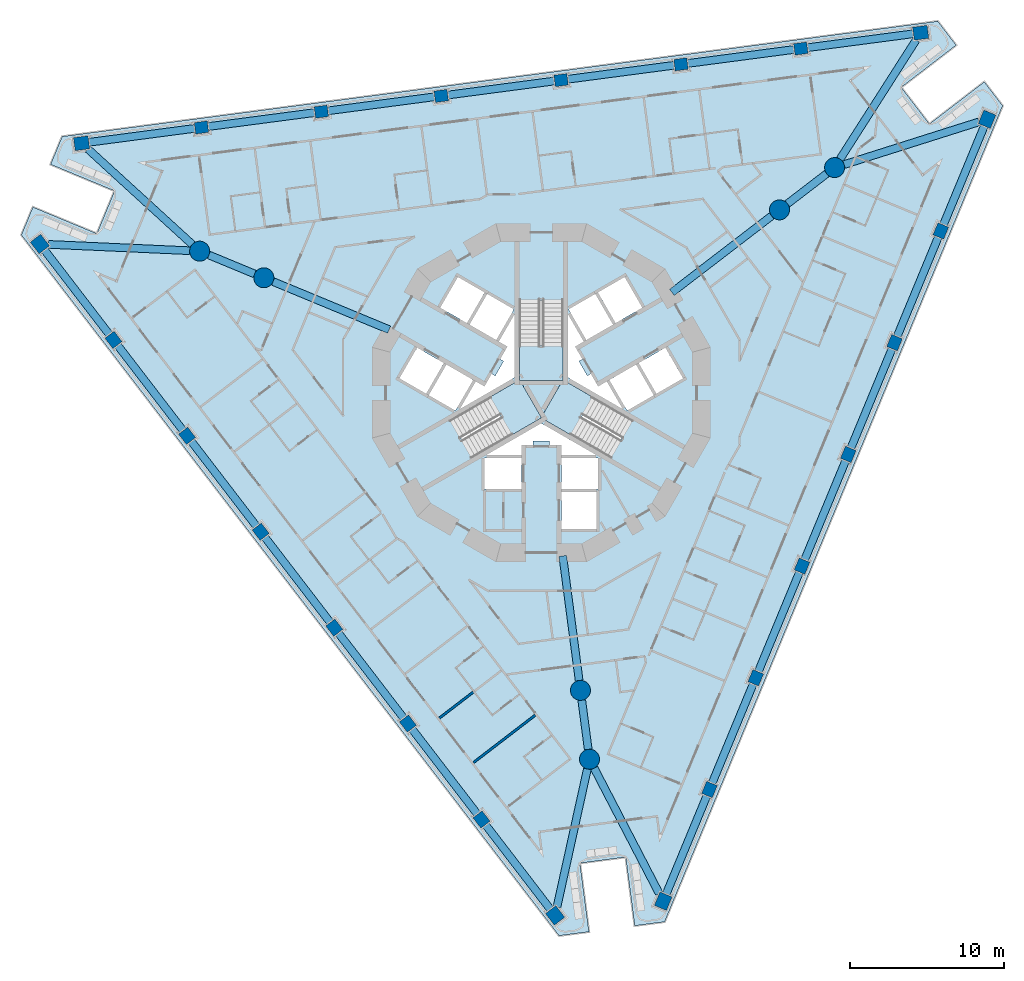
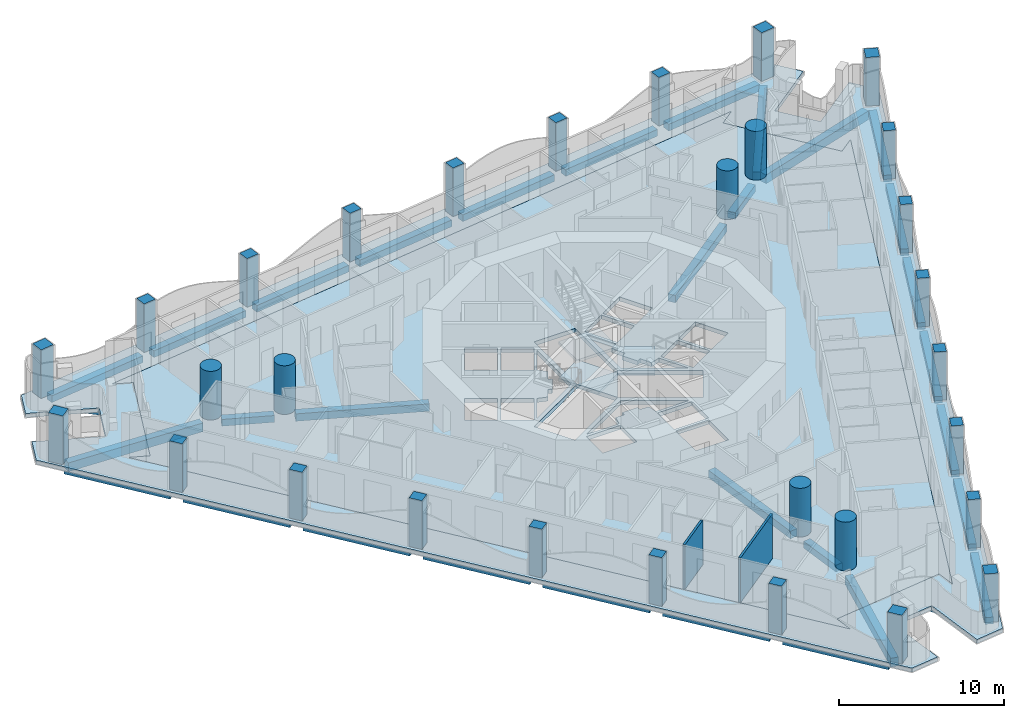
# One storey, part 1 of 19: 33 beams, 30 columns, 6 slabs, 2 walls, 3 elements without a shape of their own.
"""IFC4 building model written with IfcOpenShell, lengths in metres."""

from ifc_helpers import new_model, si_unit, direction, frame, frame_2d, origin, origin_2d, place, context, subcontext, project, spatial, polyline, rectangle, circle, outline, extrude, material, layer, layer_set, material_profile, profile_set, type_object, element, aggregate, save


model = new_model("IFC4")

# Units and contexts
model_context = context("Model", 3, precision=1e-05, world=origin(), true_north=direction((0.0, 1.0)))
body_context = subcontext(model_context, "Body", "Model", "MODEL_VIEW")
ifc_project = project(units=[si_unit("LENGTHUNIT", "METRE"), si_unit("AREAUNIT", "SQUARE_METRE"), si_unit("VOLUMEUNIT", "CUBIC_METRE"), si_unit("PLANEANGLEUNIT", "RADIAN"), si_unit("MASSUNIT", "GRAM", prefix="KILO")], contexts=[model_context])

# Site, building, storey
site_placement = place(None, origin())
site = spatial("IfcSite", under=ifc_project, at=site_placement, CompositionType="ELEMENT")
building_placement = place(site_placement, origin())
building = spatial("IfcBuilding", under=site, at=building_placement, Name="Trine Commons Tower", CompositionType="ELEMENT")
storey_placement = place(building_placement, frame((0.0, 0.0, 72.0)))
storey = spatial("IfcBuildingStorey", under=building, at=storey_placement, Name="L17", CompositionType="ELEMENT", Elevation=72.0)

# Columns
ifc_material_1 = material(Name="Concrete C80/95", Category="concrete")
ifc_material_profile_1 = material_profile(ifc_material_1, rectangle(XDim=0.85009765625, YDim=0.75, at=origin_2d()), Name="RC 850x750")
ifc_profile_set_1 = profile_set([ifc_material_profile_1], Name="Concrete C80/95")
column_type_1 = type_object("IfcColumnType", Name="RC column 850x750, C80/95", PredefinedType="COLUMN", material=ifc_profile_set_1)
for number, where, z_axis, x_axis, name in (
    (1, (76.1142578125, 34.74853515625, 0.0), (0.0, 0.0, 1.0), (-0.608761429009, 0.793353340291, 0.0), "Column PC2-02 L17"),
    (2, (71.3291015625, 40.984619140625, 0.0), (0.0, 0.0, 1.0), (-0.608761429009, 0.793353340291, 0.0), "Column PC2-03 L17"),
    (3, (66.5439453125, 47.220703125, 0.0), (0.0, 0.0, 1.0), (-0.608761429009, 0.793353340291, 0.0), "Column PC2-04 L17"),
    (4, (61.7587890625, 53.45703125, 0.0), (0.0, 0.0, 1.0), (-0.608761429009, 0.793353340291, 0.0), "Column PC2-05 L17"),
    (5, (56.9736328125, 59.693115234375, 0.0), (0.0, 0.0, 1.0), (-0.608761429009, 0.793353340291, 0.0), "Column PC2-06 L17"),
    (6, (52.1884765625, 65.92919921875, 0.0), (0.0, 0.0, 1.0), (-0.608761429009, 0.793353340291, 0.0), "Column PC2-07 L17"),
    (7, (57.9091796875, 79.740966796875, 0.0), (0.0, 0.0, 1.0), (0.991444861374, 0.13052619222, 0.0), "Column PC2-10 L17"),
    (8, (65.70263671875, 80.766845703125, 0.0), (0.0, 0.0, 1.0), (0.991444861374, 0.13052619222, 0.0), "Column PC2-11 L17"),
    (9, (73.495849609375, 81.79296875, 0.0), (0.0, 0.0, 1.0), (0.991444861374, 0.13052619222, 0.0), "Column PC2-12 L17"),
    (10, (81.2890625, 82.81884765625, 0.0), (0.0, 0.0, 1.0), (0.991444861374, 0.13052619222, 0.0), "Column PC2-13 L17"),
    (11, (89.08251953125, 83.844970703125, 0.0), (0.0, 0.0, 1.0), (0.991444861374, 0.13052619222, 0.0), "Column PC2-14 L17"),
    (12, (96.875732421875, 84.870849609375, 0.0), (0.0, 0.0, 1.0), (0.991444861374, 0.13052619222, 0.0), "Column PC2-15 L17"),
    (13, (105.976318359375, 73.010498046875, 0.0), (0.0, 0.0, 1.0), (0.382683432365, 0.923879532511, 0.0), "Column PC2-18 L17"),
    (14, (102.96826171875, 65.74853515625, 0.0), (0.0, 0.0, 1.0), (0.382683432365, 0.923879532511, 0.0), "Column PC2-19 L17"),
    (15, (99.960205078125, 58.486328125, 0.0), (0.0, 0.0, 1.0), (0.382683432365, 0.923879532511, 0.0), "Column PC2-20 L17"),
    (16, (96.9521484375, 51.22412109375, 0.0), (0.0, 0.0, 1.0), (0.382683432365, 0.923879532511, 0.0), "Column PC2-21 L17"),
    (17, (93.944091796875, 43.9619140625, 0.0), (0.0, 0.0, 1.0), (0.382683432365, 0.923879532511, 0.0), "Column PC2-22 L17"),
    (18, (90.935791015625, 36.69970703125, 0.0), (0.0, 0.0, 1.0), (0.382683432365, 0.923879532511, 0.0), "Column PC2-23 L17"),
):
    element("IfcColumn", number, at=place(storey_placement, frame(where, z_axis=z_axis, x_axis=x_axis)), inside=storey, type_object=column_type_1, Name=name, PredefinedType="COLUMN", context=body_context, shape_type="SweptSolid", body=[
        extrude(rectangle(XDim=0.85009765625, YDim=0.75, at=origin_2d()), origin(), (0.0, 0.0, 1.0), 3.60009765625),
    ])
ifc_material_profile_2 = material_profile(ifc_material_1, rectangle(XDim=0.949951171875, YDim=0.85009765625, at=origin_2d()), Name="RC 950x850")
ifc_profile_set_2 = profile_set([ifc_material_profile_2], Name="Concrete C80/95")
column_type_2 = type_object("IfcColumnType", Name="RC column 950x850, C80/95", PredefinedType="COLUMN", material=ifc_profile_set_2)
for number, where, z_axis, x_axis, name in (
    (19, (80.8994140625, 28.51220703125, 0.0), (0.0, 0.0, 1.0), (-0.608761429009, 0.793353340291, 0.0), "Column PC2-01 L17"),
    (20, (47.4033203125, 72.16552734375, 0.0), (0.0, 0.0, 1.0), (-0.608761429009, 0.793353340291, 0.0), "Column PC2-08 L17"),
    (21, (50.1162109375, 78.71484375, 0.0), (0.0, 0.0, 1.0), (0.991444861374, 0.13052619222, 0.0), "Column PC2-09 L17"),
    (22, (104.6689453125, 85.89697265625, 0.0), (0.0, 0.0, 1.0), (0.991444861374, 0.13052619222, 0.0), "Column PC2-16 L17"),
    (23, (108.984375, 80.272705078125, 0.0), (0.0, 0.0, 1.0), (0.382683432365, 0.923879532511, 0.0), "Column PC2-17 L17"),
    (24, (87.927734375, 29.4375, 0.0), (0.0, 0.0, 1.0), (0.382683432365, 0.923879532511, 0.0), "Column PC2-24 L17"),
):
    element("IfcColumn", number, at=place(storey_placement, frame(where, z_axis=z_axis, x_axis=x_axis)), inside=storey, type_object=column_type_2, Name=name, PredefinedType="COLUMN", context=body_context, shape_type="SweptSolid", body=[
        extrude(rectangle(XDim=0.949951171875, YDim=0.85009765625, at=origin_2d()), origin(), (0.0, 0.0, 1.0), 3.60009765625),
    ])
ifc_material_profile_3 = material_profile(ifc_material_1, circle(Radius=0.64990234375, at=origin_2d()), Name="RC round 1300")
ifc_profile_set_3 = profile_set([ifc_material_profile_3], Name="Concrete C80/95")
column_type_3 = type_object("IfcColumnType", Name="RC round column 1300 mm, C80/95", PredefinedType="COLUMN", material=ifc_profile_set_3)
for number, where, z_axis, x_axis, name in (
    (25, (82.548095703125, 43.14453125, 0.0), (0.0, 0.0, 1.0), (1.0, 0.0, 0.0), "Column WC2-1 L17"),
    (26, (83.1376953125, 38.6669921875, 0.0), (0.0, 0.0, 1.0), (1.0, 0.0, 0.0), "Column WC2-2 L17"),
    (27, (95.48828125, 74.384521484375, 0.0), (0.0, 0.0, 1.0), (1.0, 0.0, 0.0), "Column WC2-3 L17"),
    (28, (99.071044921875, 77.1337890625, 0.0), (0.0, 0.0, 1.0), (1.0, 0.0, 0.0), "Column WC2-4 L17"),
    (29, (61.963623046875, 69.970947265625, 0.0), (0.0, 0.0, 1.0), (1.0, 0.0, 0.0), "Column WC2-5 L17"),
    (30, (57.791259765625, 71.69921875, 0.0), (0.0, 0.0, 1.0), (1.0, 0.0, 0.0), "Column WC2-6 L17"),
):
    element("IfcColumn", number, at=place(storey_placement, frame(where, z_axis=z_axis, x_axis=x_axis)), inside=storey, type_object=column_type_3, Name=name, PredefinedType="COLUMN", context=body_context, shape_type="SweptSolid", body=[
        extrude(circle(Radius=0.64990234375, at=origin_2d()), origin(), (0.0, 0.0, 1.0), 3.60009765625),
    ])

# Beams
ifc_material_2 = material(Name="Concrete C50/60", Category="concrete")
ifc_material_profile_4 = material_profile(ifc_material_2, rectangle(XDim=0.5, YDim=0.5, at=origin_2d()), Name="RC 500x500")
ifc_profile_set_4 = profile_set([ifc_material_profile_4], Name="Concrete C50/60")
beam_type_1 = type_object("IfcBeamType", Name="RC beam 500x500, C50/60", PredefinedType="BEAM", material=ifc_profile_set_4)
beam_1_placement = place(storey_placement, frame((80.6103515625, 28.88916015625, -0.550048828125), z_axis=(-0.608757694977, 0.793356205501, 0.0), x_axis=(-0.793356205501, -0.608757694977, 0.0)))
element("IfcBeam", 31, at=beam_1_placement, inside=storey, type_object=beam_type_1, Name="Beam EB2-01 L17", PredefinedType="BEAM", context=body_context, shape_type="SweptSolid", body=[
    extrude(rectangle(XDim=0.5, YDim=0.5, at=origin_2d()), origin(), (0.0, 0.0, 1.0), 6.960693359375),
])
beam_2_placement = place(storey_placement, frame((75.855712890625, 35.085693359375, -0.550048828125), z_axis=(-0.608772912064, 0.793344528901, 0.0), x_axis=(-0.793344528901, -0.608772912064, 0.0)))
element("IfcBeam", 32, at=beam_2_placement, inside=storey, type_object=beam_type_1, Name="Beam EB2-02 L17", PredefinedType="BEAM", context=body_context, shape_type="SweptSolid", body=[
    extrude(rectangle(XDim=0.5, YDim=0.5, at=origin_2d()), origin(), (0.0, 0.0, 1.0), 7.010498046875),
])
beam_3_placement = place(storey_placement, frame((71.0703125, 41.322021484375, -0.550048828125), z_axis=(-0.608767812441, 0.793348442071, 0.0), x_axis=(-0.793348442071, -0.608767812441, 0.0)))
element("IfcBeam", 33, at=beam_3_placement, inside=storey, type_object=beam_type_1, Name="Beam EB2-03 L17", PredefinedType="BEAM", context=body_context, shape_type="SweptSolid", body=[
    extrude(rectangle(XDim=0.5, YDim=0.5, at=origin_2d()), origin(), (0.0, 0.0, 1.0), 7.01025390625),
])
for number, where, z_axis, x_axis, name in (
    (34, (66.285400390625, 47.55810546875, -0.550048828125), (-0.608772912064, 0.793344528901, 0.0), (-0.793344528901, -0.608772912064, 0.0), "Beam EB2-04 L17"),
    (35, (61.5, 53.794189453125, -0.550048828125), (-0.608750992772, 0.793361348188, 0.0), (-0.793361348188, -0.608750992772, 0.0), "Beam EB2-05 L17"),
):
    element("IfcBeam", number, at=place(storey_placement, frame(where, z_axis=z_axis, x_axis=x_axis)), inside=storey, type_object=beam_type_1, Name=name, PredefinedType="BEAM", context=body_context, shape_type="SweptSolid", body=[
        extrude(rectangle(XDim=0.5, YDim=0.5, at=origin_2d()), origin(), (0.0, 0.0, 1.0), 7.010498046875),
    ])
beam_4_placement = place(storey_placement, frame((56.71484375, 60.030517578125, -0.550048828125), z_axis=(-0.608789731625, 0.793331622128, 0.0), x_axis=(-0.793331622128, -0.608789731625, 0.0)))
element("IfcBeam", 36, at=beam_4_placement, inside=storey, type_object=beam_type_1, Name="Beam EB2-06 L17", PredefinedType="BEAM", context=body_context, shape_type="SweptSolid", body=[
    extrude(rectangle(XDim=0.5, YDim=0.5, at=origin_2d()), origin(), (0.0, 0.0, 1.0), 7.01025390625),
])
beam_5_placement = place(storey_placement, frame((51.9296875, 66.2666015625, -0.550048828125), z_axis=(-0.608757694977, 0.793356205501, 0.0), x_axis=(-0.793356205501, -0.608757694977, 0.0)))
element("IfcBeam", 37, at=beam_5_placement, inside=storey, type_object=beam_type_1, Name="Beam EB2-07 L17", PredefinedType="BEAM", context=body_context, shape_type="SweptSolid", body=[
    extrude(rectangle(XDim=0.5, YDim=0.5, at=origin_2d()), origin(), (0.0, 0.0, 1.0), 6.960693359375),
])
beam_6_placement = place(storey_placement, frame((50.5869140625, 78.77685546875, -0.550048828125), z_axis=(0.991446175382, 0.130516210946, 0.0), x_axis=(-0.130516210946, 0.991446175382, 0.0)))
element("IfcBeam", 38, at=beam_6_placement, inside=storey, type_object=beam_type_1, Name="Beam EB2-08 L17", PredefinedType="BEAM", context=body_context, shape_type="SweptSolid", body=[
    extrude(rectangle(XDim=0.5, YDim=0.5, at=origin_2d()), origin(), (0.0, 0.0, 1.0), 6.96044921875),
])
for number, where, z_axis, x_axis, name in (
    (39, (58.330810546875, 79.79638671875, -0.550048828125), (0.991444928767, 0.13052568032, 0.0), (-0.13052568032, 0.991444928767, 0.0), "Beam EB2-09 L17"),
    (40, (66.1240234375, 80.822509765625, -0.550048828125), (0.99144943492, 0.130491447984, 0.0), (-0.130491447984, 0.99144943492, 0.0), "Beam EB2-10 L17"),
    (41, (73.917236328125, 81.848388671875, -0.550048828125), (0.991444928767, 0.13052568032, 0.0), (-0.13052568032, 0.991444928767, 0.0), "Beam EB2-11 L17"),
    (42, (81.71044921875, 82.87451171875, -0.550048828125), (0.99144943492, 0.130491447984, 0.0), (-0.130491447984, 0.99144943492, 0.0), "Beam EB2-12 L17"),
    (43, (89.50390625, 83.900390625, -0.550048828125), (0.991444928767, 0.13052568032, 0.0), (-0.13052568032, 0.991444928767, 0.0), "Beam EB2-13 L17"),
):
    element("IfcBeam", number, at=place(storey_placement, frame(where, z_axis=z_axis, x_axis=x_axis)), inside=storey, type_object=beam_type_1, Name=name, PredefinedType="BEAM", context=body_context, shape_type="SweptSolid", body=[
        extrude(rectangle(XDim=0.5, YDim=0.5, at=origin_2d()), origin(), (0.0, 0.0, 1.0), 7.010498046875),
    ])
for number, where, z_axis, x_axis, name in (
    (44, (97.297119140625, 84.926513671875, -0.550048828125), (0.991446175382, 0.130516210946, 0.0), (-0.130516210946, 0.991446175382, 0.0), "Beam EB2-14 L17"),
    (45, (108.802490234375, 79.833984375, -0.550048828125), (-0.382671898974, -0.923884309714, 0.0), (0.923884309714, -0.382671898974, 0.0), "Beam EB2-15 L17"),
):
    element("IfcBeam", number, at=place(storey_placement, frame(where, z_axis=z_axis, x_axis=x_axis)), inside=storey, type_object=beam_type_1, Name=name, PredefinedType="BEAM", context=body_context, shape_type="SweptSolid", body=[
        extrude(rectangle(XDim=0.5, YDim=0.5, at=origin_2d()), origin(), (0.0, 0.0, 1.0), 6.96044921875),
    ])
beam_7_placement = place(storey_placement, frame((105.813720703125, 72.617919921875, -0.550048828125), z_axis=(-0.382693194178, -0.923875488976, 0.0), x_axis=(0.923875488976, -0.382693194178, 0.0)))
element("IfcBeam", 46, at=beam_7_placement, inside=storey, type_object=beam_type_1, Name="Beam EB2-16 L17", PredefinedType="BEAM", context=body_context, shape_type="SweptSolid", body=[
    extrude(rectangle(XDim=0.5, YDim=0.5, at=origin_2d()), origin(), (0.0, 0.0, 1.0), 7.010498046875),
])
for number, where, z_axis, x_axis, name in (
    (47, (102.8056640625, 65.35595703125, -0.550048828125), (-0.382680881742, -0.92388058901, 0.0), (0.92388058901, -0.382680881742, 0.0), "Beam EB2-17 L17"),
    (48, (99.797607421875, 58.09375, -0.550048828125), (-0.382680881742, -0.92388058901, 0.0), (0.92388058901, -0.382680881742, 0.0), "Beam EB2-18 L17"),
    (49, (96.78955078125, 50.83154296875, -0.550048828125), (-0.382680881742, -0.92388058901, 0.0), (0.92388058901, -0.382680881742, 0.0), "Beam EB2-19 L17"),
    (50, (93.781494140625, 43.5693359375, -0.550048828125), (-0.382710605355, -0.923868276622, 0.0), (0.923868276622, -0.382710605355, 0.0), "Beam EB2-20 L17"),
):
    element("IfcBeam", number, at=place(storey_placement, frame(where, z_axis=z_axis, x_axis=x_axis)), inside=storey, type_object=beam_type_1, Name=name, PredefinedType="BEAM", context=body_context, shape_type="SweptSolid", body=[
        extrude(rectangle(XDim=0.5, YDim=0.5, at=origin_2d()), origin(), (0.0, 0.0, 1.0), 7.0107421875),
    ])
beam_8_placement = place(storey_placement, frame((90.773193359375, 36.30712890625, -0.550048828125), z_axis=(-0.382671898974, -0.923884309714, 0.0), x_axis=(0.923884309714, -0.382671898974, 0.0)))
element("IfcBeam", 51, at=beam_8_placement, inside=storey, type_object=beam_type_1, Name="Beam EB2-21 L17", PredefinedType="BEAM", context=body_context, shape_type="SweptSolid", body=[
    extrude(rectangle(XDim=0.5, YDim=0.5, at=origin_2d()), origin(), (0.0, 0.0, 1.0), 6.96044921875),
])
beam_9_placement = place(storey_placement, frame((82.633056640625, 42.500732421875, -0.550048828125), z_axis=(0.130513398023, -0.991446545678, 0.0), x_axis=(0.991446545678, 0.130513398023, 0.0)))
element("IfcBeam", 52, at=beam_9_placement, inside=storey, type_object=beam_type_1, Name="Beam RB2-02 L17", PredefinedType="BEAM", context=body_context, shape_type="SweptSolid", body=[
    extrude(rectangle(XDim=0.5, YDim=0.5, at=origin_2d()), origin(), (0.0, 0.0, 1.0), 3.217529296875),
])
beam_10_placement = place(storey_placement, frame((96.00341796875, 74.77978515625, -0.550048828125), z_axis=(0.793368133848, 0.608742149185, 0.0), x_axis=(-0.608742149185, 0.793368133848, 0.0)))
element("IfcBeam", 53, at=beam_10_placement, inside=storey, type_object=beam_type_1, Name="Beam RB2-04 L17", PredefinedType="BEAM", context=body_context, shape_type="SweptSolid", body=[
    extrude(rectangle(XDim=0.5, YDim=0.5, at=origin_2d()), origin(), (0.0, 0.0, 1.0), 3.21728515625),
])
beam_11_placement = place(storey_placement, frame((61.363037109375, 70.2197265625, -0.550048828125), z_axis=(-0.923878970326, 0.382684789598, 0.0), x_axis=(-0.382684789598, -0.923878970326, 0.0)))
element("IfcBeam", 54, at=beam_11_placement, inside=storey, type_object=beam_type_1, Name="Beam RB2-06 L17", PredefinedType="BEAM", context=body_context, shape_type="SweptSolid", body=[
    extrude(rectangle(XDim=0.5, YDim=0.5, at=origin_2d()), origin(), (0.0, 0.0, 1.0), 3.216064453125),
])
ifc_material_profile_5 = material_profile(ifc_material_2, rectangle(XDim=0.5, YDim=0.550048828125, at=origin_2d()), Name="RC 500x550")
ifc_profile_set_5 = profile_set([ifc_material_profile_5], Name="Concrete C50/60")
beam_type_2 = type_object("IfcBeamType", Name="RC beam 500x550, C50/60", PredefinedType="BEAM", material=ifc_profile_set_5)
for number, where, z_axis, x_axis, name in (
    (55, (81.3974609375, 51.885009765625, -0.574951171875), (0.13051869661, -0.991445848161, 0.0), (0.991445848161, 0.13051869661, 0.0), "Beam RB2-01 L17"),
    (56, (88.494140625, 69.017578125, -0.574951171875), (0.79334357443, 0.608774155916, 0.0), (-0.608774155916, 0.79334357443, 0.0), "Beam RB2-03 L17"),
):
    element("IfcBeam", number, at=place(storey_placement, frame(where, z_axis=z_axis, x_axis=x_axis)), inside=storey, type_object=beam_type_2, Name=name, PredefinedType="BEAM", context=body_context, shape_type="SweptSolid", body=[
        extrude(rectangle(XDim=0.5, YDim=0.550048828125, at=origin_2d()), origin(), (0.0, 0.0, 1.0), 8.166748046875),
    ])
beam_12_placement = place(storey_placement, frame((70.1083984375, 66.59716796875, -0.574951171875), z_axis=(-0.923875444746, 0.382693300953, 0.0), x_axis=(-0.382693300953, -0.923875444746, 0.0)))
element("IfcBeam", 57, at=beam_12_placement, inside=storey, type_object=beam_type_2, Name="Beam RB2-05 L17", PredefinedType="BEAM", context=body_context, shape_type="SweptSolid", body=[
    extrude(rectangle(XDim=0.5, YDim=0.550048828125, at=origin_2d()), origin(), (0.0, 0.0, 1.0), 8.165771484375),
])
ifc_material_profile_6 = material_profile(ifc_material_2, rectangle(XDim=0.5, YDim=0.64990234375, at=origin_2d()), Name="RC 500x650")
ifc_profile_set_6 = profile_set([ifc_material_profile_6], Name="Concrete C50/60")
beam_type_3 = type_object("IfcBeamType", Name="RC beam 500x650, C50/60", PredefinedType="BEAM", material=ifc_profile_set_6)
for number, where, z_axis, x_axis, name in (
    (58, (47.9580078125, 72.140625, -0.625), (0.998993680757, -0.044851151696, 0.0), (0.044851151696, 0.998993680757, 0.0), "Beam CB2-01 L17"),
    (59, (50.52587890625, 78.340087890625, -0.625), (0.738114574549, -0.674675384788, 0.0), (0.674675384788, 0.738114574549, 0.0), "Beam CB2-02 L17"),
    (60, (104.369873046875, 85.428955078125, -0.625), (-0.538318035677, -0.842741770927, 0.0), (0.842741770927, -0.538318035677, 0.0), "Beam CB2-03 L17"),
):
    element("IfcBeam", number, at=place(storey_placement, frame(where, z_axis=z_axis, x_axis=x_axis)), inside=storey, type_object=beam_type_3, Name=name, PredefinedType="BEAM", context=body_context, shape_type="SweptSolid", body=[
        extrude(rectangle(XDim=0.5, YDim=0.64990234375, at=origin_2d()), origin(), (0.0, 0.0, 1.0), 9.19384765625),
    ])
beam_13_placement = place(storey_placement, frame((108.454833984375, 80.10498046875, -0.625), z_axis=(-0.953349995529, -0.301867166193, 0.0), x_axis=(0.301867166193, -0.953349995529, 0.0)))
element("IfcBeam", 61, at=beam_13_placement, inside=storey, type_object=beam_type_3, Name="Beam CB2-04 L17", PredefinedType="BEAM", context=body_context, shape_type="SweptSolid", body=[
    extrude(rectangle(XDim=0.5, YDim=0.64990234375, at=origin_2d()), origin(), (0.0, 0.0, 1.0), 9.193359375),
])
for number, where, z_axis, x_axis, name in (
    (62, (87.672119140625, 29.930419921875, -0.625), (-0.460652760363, 0.887580438253, 0.0), (-0.887580438253, -0.460652760363, 0.0), "Beam CB2-05 L17"),
    (63, (81.01904296875, 29.0546875, -0.625), (0.215234621965, 0.976562367444, 0.0), (-0.976562367444, 0.215234621965, 0.0), "Beam CB2-06 L17"),
):
    element("IfcBeam", number, at=place(storey_placement, frame(where, z_axis=z_axis, x_axis=x_axis)), inside=storey, type_object=beam_type_3, Name=name, PredefinedType="BEAM", context=body_context, shape_type="SweptSolid", body=[
        extrude(rectangle(XDim=0.5, YDim=0.64990234375, at=origin_2d()), origin(), (0.0, 0.0, 1.0), 9.193603515625),
    ])

# Slabs
ifc_layer_1 = layer(ifc_material_2, 0.300048828125)
ifc_layer_set_1 = layer_set([ifc_layer_1], Name="Concrete C50/60")
slab_type_1 = type_object("IfcSlabType", Name="Loggia slab 300 mm, C50/60", PredefinedType="FLOOR", material=ifc_layer_set_1)
slab_1_placement = place(storey_placement, frame((0.0, 0.0, -0.300048828125)))
element("IfcSlab", 64, at=slab_1_placement, inside=storey, type_object=slab_type_1, Name="Loggia slab L17", PredefinedType="FLOOR", context=body_context, shape_type="SweptSolid", body=[
    extrude(outline(polyline([(88.02294921875, 28.099365234375), (109.998046875, 81.15185546875), (108.80224609375, 82.710205078125), (105.232177734375, 79.970703125), (103.406005859375, 82.3505859375), (106.97607421875, 85.090087890625), (105.780517578125, 86.6484375), (48.847900390625, 79.153076171875), (48.096435546875, 77.33837890625), (52.25390625, 75.616455078125), (51.105712890625, 72.8447265625), (46.948486328125, 74.56689453125), (46.19677734375, 72.752197265625), (81.154052734375, 27.195068359375), (83.101318359375, 27.451416015625), (82.513916015625, 31.912841796875), (85.48828125, 32.304443359375), (86.07568359375, 27.843017578125), (88.02294921875, 28.099365234375)]), holes=[polyline([(79.99658203125, 32.6455078125), (79.8212890625, 33.97900390625), (87.554443359375, 34.997314453125), (87.72998046875, 33.663818359375), (105.856201171875, 77.42431640625), (104.789306640625, 76.605712890625), (100.041015625, 82.793701171875), (101.10791015625, 83.612548828125), (54.14697265625, 77.429931640625), (55.3896484375, 76.915283203125), (52.40478515625, 69.708984375), (51.162109375, 70.2236328125), (79.99658203125, 32.6455078125)])]), origin(), (0.0, 0.0, 1.0), 0.300048828125),
])
ifc_layer_2 = layer(ifc_material_2, 0.300048828125)
ifc_layer_set_2 = layer_set([ifc_layer_2], Name="Concrete C50/60")
slab_type_2 = type_object("IfcSlabType", Name="PT flat slab 300 mm, C50/60", PredefinedType="FLOOR", material=ifc_layer_set_2)
slab_2_placement = place(storey_placement, frame((0.0, 0.0, -0.300048828125)))
element("IfcSlab", 65, at=slab_2_placement, inside=storey, type_object=slab_type_2, Name="Floor slab L17", PredefinedType="FLOOR", context=body_context, shape_type="SweptSolid", body=[
    extrude(outline(polyline([(51.162109375, 70.2236328125), (79.99658203125, 32.6455078125), (79.8212890625, 33.97900390625), (87.554443359375, 34.997314453125), (87.72998046875, 33.663818359375), (105.856201171875, 77.42431640625), (104.789306640625, 76.605712890625), (100.041015625, 82.793701171875), (101.10791015625, 83.612548828125), (54.14697265625, 77.429931640625), (55.3896484375, 76.915283203125), (52.40478515625, 69.708984375), (51.162109375, 70.2236328125)]), holes=[polyline([(76.300048828125, 56.25), (78.699951171875, 56.25), (78.699951171875, 58.25), (76.300048828125, 58.25), (76.300048828125, 56.25)]), polyline([(81.14990234375, 59.10009765625), (81.300048828125, 58.449951171875), (83.56494140625, 58.449951171875), (80.0, 60.508056640625), (76.43505859375, 58.449951171875), (78.699951171875, 58.449951171875), (78.85009765625, 59.10009765625), (79.449951171875, 59.10009765625), (79.449951171875, 59.360107421875), (80.550048828125, 59.360107421875), (80.550048828125, 59.10009765625), (81.14990234375, 59.10009765625)]), polyline([(80.0, 60.8544921875), (84.4755859375, 58.2705078125), (85.900390625, 60.73876953125), (81.425048828125, 63.32275390625), (81.425048828125, 68.490478515625), (78.574951171875, 68.490478515625), (78.574951171875, 63.32275390625), (74.099609375, 60.73876953125), (75.5244140625, 58.2705078125), (80.0, 60.8544921875)]), polyline([(73.83740234375, 64.325927734375), (72.687255859375, 62.333984375), (74.41943359375, 61.333984375), (75.5693359375, 63.325927734375), (73.83740234375, 64.325927734375)]), polyline([(71.93212890625, 65.426025390625), (70.781982421875, 63.43408203125), (72.51416015625, 62.43408203125), (73.6640625, 64.426025390625), (71.93212890625, 65.426025390625)]), polyline([(76.781005859375, 63.722900390625), (76.381103515625, 63.031005859375), (75.742919921875, 63.22607421875), (74.7099609375, 61.43798828125), (78.27490234375, 63.49609375), (78.27490234375, 67.612060546875), (77.242919921875, 65.823974609375), (77.73095703125, 65.368896484375), (77.3310546875, 64.676025390625), (77.555908203125, 64.5458984375), (77.006103515625, 63.593994140625), (76.781005859375, 63.722900390625)]), polyline([(76.4873046875, 68.916015625), (75.33740234375, 66.924072265625), (77.0693359375, 65.924072265625), (78.219482421875, 67.916015625), (76.4873046875, 68.916015625)]), polyline([(74.58203125, 70.015869140625), (73.43212890625, 68.02392578125), (75.1640625, 67.02392578125), (76.314208984375, 69.015869140625), (74.58203125, 70.015869140625)]), polyline([(81.300048828125, 53.64990234375), (83.60009765625, 53.64990234375), (83.60009765625, 56.050048828125), (81.300048828125, 56.050048828125), (81.300048828125, 53.64990234375)]), polyline([(81.300048828125, 56.25), (83.699951171875, 56.25), (83.699951171875, 58.25), (81.300048828125, 58.25), (81.300048828125, 56.25)]), polyline([(87.312744140625, 62.333984375), (86.16259765625, 64.325927734375), (84.4306640625, 63.325927734375), (85.58056640625, 61.333984375), (87.312744140625, 62.333984375)]), polyline([(89.218017578125, 63.43408203125), (88.06787109375, 65.426025390625), (86.3359375, 64.426025390625), (87.48583984375, 62.43408203125), (89.218017578125, 63.43408203125)]), polyline([(83.243896484375, 63.738037109375), (82.993896484375, 63.593994140625), (82.444091796875, 64.5458984375), (82.72705078125, 64.7099609375), (82.281005859375, 65.549072265625), (82.757080078125, 65.823974609375), (81.72509765625, 67.612060546875), (81.72509765625, 63.49609375), (85.2900390625, 61.43798828125), (84.257080078125, 63.22607421875), (83.618896484375, 63.031005859375), (83.243896484375, 63.738037109375)]), polyline([(82.9306640625, 65.924072265625), (84.66259765625, 66.924072265625), (83.5126953125, 68.916015625), (81.780517578125, 67.916015625), (82.9306640625, 65.924072265625)]), polyline([(84.8359375, 67.02392578125), (86.56787109375, 68.02392578125), (85.41796875, 70.015869140625), (83.685791015625, 69.015869140625), (84.8359375, 67.02392578125)])]), origin(), (0.0, 0.0, 1.0), 0.300048828125),
])
slab_3_placement = place(storey_placement, frame((0.0, 0.0, -0.300048828125)))
element("IfcSlab", 66, at=slab_3_placement, inside=storey, type_object=slab_type_2, Name="Floor slab L17 2", PredefinedType="FLOOR", context=body_context, shape_type="SweptSolid", body=[
    extrude(outline(polyline([(78.61328125, 63.300537109375), (80.0, 60.89892578125), (81.38671875, 63.300537109375), (78.61328125, 63.300537109375)])), origin(), (0.0, 0.0, 1.0), 0.300048828125),
])

# Stair, slab
stair_type = type_object("IfcStairType", Name="Exit stair, dog-leg, 24 risers of 150 mm", PredefinedType="HALF_TURN_STAIR", material=ifc_material_2)
stair_1_placement = place(storey_placement, origin())
stair_1 = element("IfcStair", 67, at=stair_1_placement, inside=storey, type_object=stair_type, Name="L17 Exit stair ST1A", PredefinedType="HALF_TURN_STAIR")
ifc_layer_3 = layer(ifc_material_2, 0.199951171875)
ifc_layer_set_3 = layer_set([ifc_layer_3], Name="Concrete C50/60")
slab_type_3 = type_object("IfcSlabType", Name="Stair landing slab 200 mm, C50/60", PredefinedType="LANDING", material=ifc_layer_set_3)
slab_4_placement = place(storey_placement, frame((0.0, 0.0, 1.60009765625)))
slab_4 = element("IfcSlab", 68, at=slab_4_placement, type_object=slab_type_3, Name="ST1A landing 1", PredefinedType="LANDING", context=body_context, shape_type="SweptSolid", body=[
    extrude(outline(polyline([(78.574951171875, 65.570556640625), (78.574951171875, 63.300537109375), (81.425048828125, 63.300537109375), (81.425048828125, 65.570556640625), (78.574951171875, 65.570556640625)])), origin(), (0.0, 0.0, 1.0), 0.199951171875),
])
aggregate(stair_1, [slab_4])

stair_2_placement = place(storey_placement, origin())
stair_2 = element("IfcStair", 69, at=stair_2_placement, inside=storey, type_object=stair_type, Name="L17 Exit stair ST2A", PredefinedType="HALF_TURN_STAIR")
slab_5_placement = place(storey_placement, frame((0.0, 0.0, 1.60009765625)))
slab_5 = element("IfcSlab", 70, at=slab_5_placement, type_object=slab_type_3, Name="ST2A landing 1", PredefinedType="LANDING", context=body_context, shape_type="SweptSolid", body=[
    extrude(outline(polyline([(78.05322265625, 59.730712890625), (80.019287109375, 60.86572265625), (78.59423828125, 63.333740234375), (76.628173828125, 62.19873046875), (78.05322265625, 59.730712890625)])), origin(), (0.0, 0.0, 1.0), 0.199951171875),
])
aggregate(stair_2, [slab_5])

stair_3_placement = place(storey_placement, origin())
stair_3 = element("IfcStair", 71, at=stair_3_placement, inside=storey, type_object=stair_type, Name="L17 Exit stair ST3A", PredefinedType="HALF_TURN_STAIR")
slab_6_placement = place(storey_placement, frame((0.0, 0.0, 1.60009765625)))
slab_6 = element("IfcSlab", 72, at=slab_6_placement, type_object=slab_type_3, Name="ST3A landing 1", PredefinedType="LANDING", context=body_context, shape_type="SweptSolid", body=[
    extrude(outline(polyline([(83.371826171875, 62.19873046875), (81.40576171875, 63.333740234375), (79.980712890625, 60.86572265625), (81.94677734375, 59.730712890625), (83.371826171875, 62.19873046875)])), origin(), (0.0, 0.0, 1.0), 0.199951171875),
])
aggregate(stair_3, [slab_6])

# Walls
ifc_material_3 = material(Name="Gypsum plasterboard on steel stud", Category="steel")
ifc_layer_4 = layer(ifc_material_3, 0.14990234375)
ifc_layer_set_4 = layer_set([ifc_layer_4], Name="Gypsum plasterboard on steel stud")
wall_type = type_object("IfcWallType", Name="Unit and corridor wall 150 mm, EI 60", PredefinedType="PARTITIONING", material=ifc_layer_set_4)
wall_1_placement = place(storey_placement, frame((73.373779296875, 41.34228515625, 0.0), z_axis=(0.0, 0.0, 1.0), x_axis=(0.793579594979, 0.608466454648, 0.0)))
element("IfcWall", 73, at=wall_1_placement, inside=storey, type_object=wall_type, Name="Partition 059", PredefinedType="PARTITIONING", context=body_context, shape_type="SweptSolid", body=[
    extrude(rectangle(XDim=2.789306640625, YDim=0.14990234375, at=frame_2d((1.39453125, 0.0))), origin(), (0.0, 0.0, 1.0), 3.300048828125),
])
wall_2_placement = place(storey_placement, frame((75.5927734375, 38.451416015625, 0.0), z_axis=(0.0, 0.0, 1.0), x_axis=(0.793302827183, 0.608827253318, 0.0)))
element("IfcWall", 74, at=wall_2_placement, inside=storey, type_object=wall_type, Name="Partition 064", PredefinedType="PARTITIONING", context=body_context, shape_type="SweptSolid", body=[
    extrude(rectangle(XDim=5.0634765625, YDim=0.14990234375, at=frame_2d((2.53173828125, 0.0))), origin(), (0.0, 0.0, 1.0), 3.300048828125),
])

save(model, "model.ifc")
